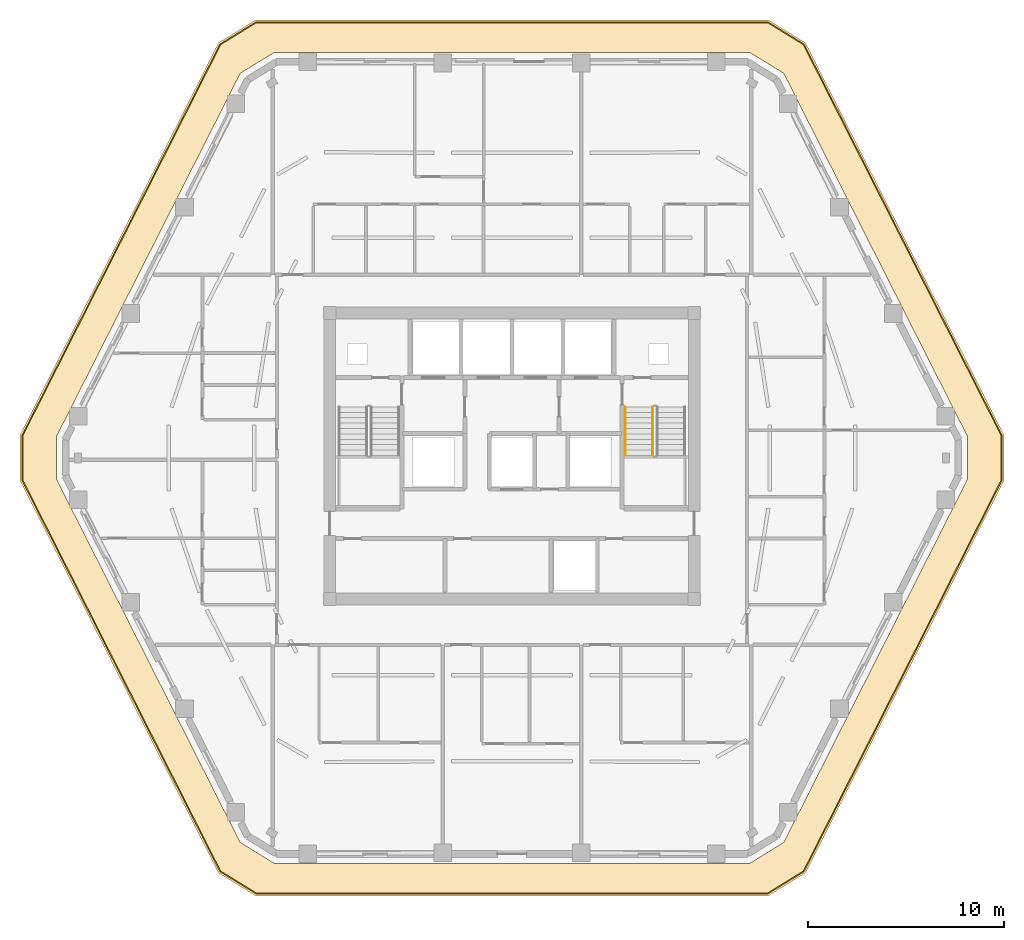
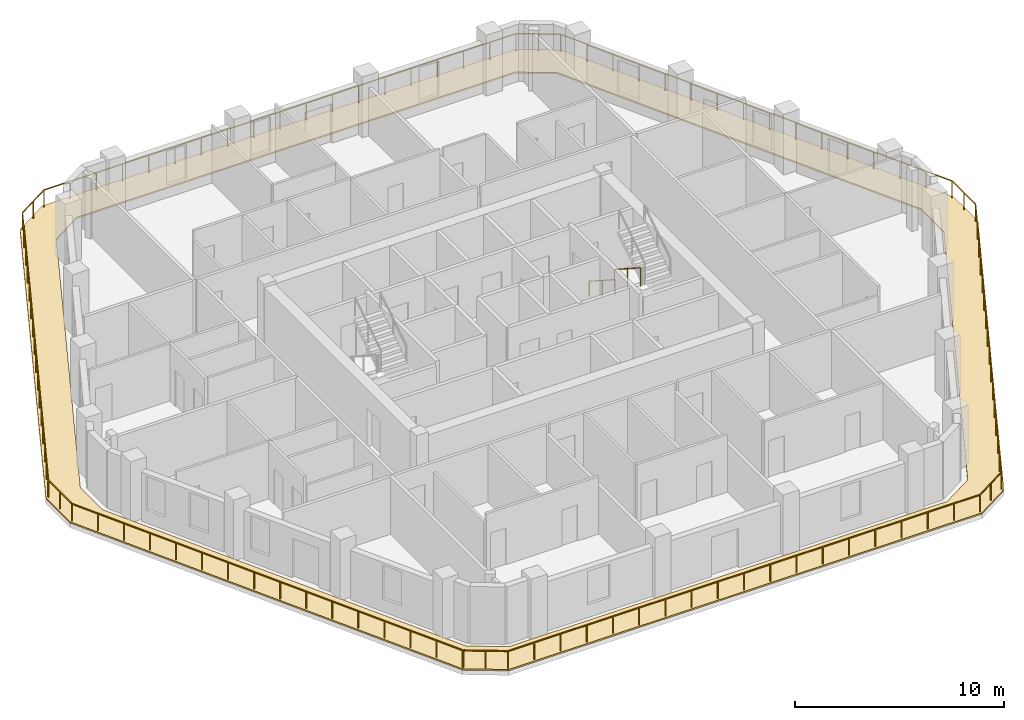
# One storey, part 9 of 10: 3 railings, 1 covering.
"""IFC4 building model written with IfcOpenShell, lengths in metres."""

from ifc_helpers import new_model, si_unit, direction, frame, origin, origin_2d, place, context, subcontext, project, spatial, polyline, rectangle, outline, extrude, material, layer, layer_set, type_object, element, save


model = new_model("IFC4")

# Units and contexts
model_context = context("Model", 3, precision=1e-05, world=origin(), true_north=direction((0.0, 1.0)))
body_context = subcontext(model_context, "Body", "Model", "MODEL_VIEW")
ifc_project = project(units=[si_unit("LENGTHUNIT", "METRE"), si_unit("AREAUNIT", "SQUARE_METRE"), si_unit("VOLUMEUNIT", "CUBIC_METRE"), si_unit("PLANEANGLEUNIT", "RADIAN"), si_unit("MASSUNIT", "GRAM", prefix="KILO")], contexts=[model_context])

# Site, building, storey
site_placement = place(None, origin())
site = spatial("IfcSite", under=ifc_project, at=site_placement, CompositionType="ELEMENT")
building_placement = place(site_placement, origin())
building = spatial("IfcBuilding", under=site, at=building_placement, Name="Cinnabar Lancet Tower", CompositionType="ELEMENT")
storey_placement = place(building_placement, frame((0.0, 0.0, 171.89990234375)))
storey = spatial("IfcBuildingStorey", under=building, at=storey_placement, Name="L45", CompositionType="ELEMENT", Elevation=171.89990234375)

# Covering
ifc_material_1 = material(Name="TPO single-ply insulated waterproof roofing membrane", Category="finish")
ifc_layer = layer(ifc_material_1, 0.0849609375)
ifc_layer_set = layer_set([ifc_layer], Name="TPO single-ply insulated waterproof roofing membrane")
covering_type = type_object("IfcCoveringType", Name="ARC-COV-ROOF-MEM", PredefinedType="ROOFING", material=ifc_layer_set)
covering_placement = place(storey_placement, origin())
element("IfcCovering", 1, at=covering_placement, inside=storey, type_object=covering_type, Name="L45 Insulated TPO Waterproof Roofing Membrane", PredefinedType="ROOFING", context=body_context, shape_type="SweptSolid", body=[
    extrude(outline(polyline([(17.4208984375, 4.610107421875), (19.30810546875, 3.449951171875), (45.491943359375, 3.449951171875), (47.37890625, 4.610107421875), (57.512939453125, 24.639892578125), (57.512939453125, 26.9599609375), (47.37890625, 46.989990234375), (45.491943359375, 48.14990234375), (19.30810546875, 48.14990234375), (17.4208984375, 46.989990234375), (7.287109375, 26.9599609375), (7.287109375, 24.639892578125), (17.4208984375, 4.610107421875)]), holes=[polyline([(18.530029296875, 6.1708984375), (20.27197265625, 5.10009765625), (44.528076171875, 5.10009765625), (46.27001953125, 6.1708984375), (55.657958984375, 24.72900390625), (55.657958984375, 26.87109375), (46.27001953125, 45.428955078125), (44.528076171875, 46.5), (20.27197265625, 46.5), (18.530029296875, 45.428955078125), (9.14208984375, 26.87109375), (9.14208984375, 24.72900390625), (18.530029296875, 6.1708984375)])]), origin(), (0.0, 0.0, 1.0), 0.085205078125),
])

# Railings
ifc_material_2 = material(Name="Laminated safety glass and bronze stainless steel balustrade", Category="steel")
railing_type_1 = type_object("IfcRailingType", Name="ENV-RLG-BAL-1100", PredefinedType="BALUSTRADE", material=ifc_material_2)
railing_1_placement = place(storey_placement, frame((17.512939453125, 4.694091796875, 0.0)))
element("IfcRailing", 2, at=railing_1_placement, inside=storey, type_object=railing_type_1, Name="L45 Setback Roof Terrace Perimeter Balustrade", PredefinedType="BALUSTRADE", context=body_context, shape_type="SweptSolid", body=[
    extrude(rectangle(XDim=0.048095703125, YDim=0.048095703125, at=origin_2d()), frame((0.0, 0.0, 1.076171875), z_axis=(0.851986130502, -0.523564354623, 0.0), x_axis=(0.523564354623, 0.851986130502, 0.0)), (0.0, 0.0, 1.0), 2.14697265625),
    extrude(rectangle(XDim=0.048095703125, YDim=0.048095703125, at=origin_2d()), frame((1.8291015625, -1.1240234375, 1.076171875), z_axis=(1.0, 0.0, 0.0), x_axis=(0.0, 1.0, 0.0)), (0.0, 0.0, 1.0), 26.115966796875),
    extrude(rectangle(XDim=0.048095703125, YDim=0.048095703125, at=origin_2d()), frame((27.945068359375, -1.1240234375, 1.076171875), z_axis=(0.851986130502, 0.523564354623, 0.0), x_axis=(-0.523564354623, 0.851986130502, 0.0)), (0.0, 0.0, 1.0), 2.14697265625),
    extrude(rectangle(XDim=0.048095703125, YDim=0.048095703125, at=origin_2d()), frame((29.774169921875, 0.0, 1.076171875), z_axis=(0.451444484953, 0.892299208229, 0.0), x_axis=(-0.892299208229, 0.451444484953, 0.0)), (0.0, 0.0, 1.0), 22.3857421875),
    extrude(rectangle(XDim=0.048095703125, YDim=0.048095703125, at=origin_2d()), frame((39.880126953125, 19.974853515625, 1.076171875), z_axis=(0.0, 1.0, 0.0), x_axis=(-1.0, 0.0, 0.0)), (0.0, 0.0, 1.0), 2.261962890625),
    extrude(rectangle(XDim=0.048095703125, YDim=0.048095703125, at=origin_2d()), frame((39.880126953125, 22.23681640625, 1.076171875), z_axis=(-0.451440091782, 0.89230143087, 0.0), x_axis=(-0.89230143087, -0.451440091782, 0.0)), (0.0, 0.0, 1.0), 22.385986328125),
    extrude(rectangle(XDim=0.048095703125, YDim=0.048095703125, at=origin_2d()), frame((29.774169921875, 42.2119140625, 1.076171875), z_axis=(-0.851986130502, 0.523564354623, 0.0), x_axis=(-0.523564354623, -0.851986130502, 0.0)), (0.0, 0.0, 1.0), 2.14697265625),
    extrude(rectangle(XDim=0.048095703125, YDim=0.048095703125, at=origin_2d()), frame((27.945068359375, 43.3359375, 1.076171875), z_axis=(-1.0, 0.0, 0.0), x_axis=(0.0, -1.0, 0.0)), (0.0, 0.0, 1.0), 26.115966796875),
    extrude(rectangle(XDim=0.048095703125, YDim=0.048095703125, at=origin_2d()), frame((1.8291015625, 43.3359375, 1.076171875), z_axis=(-0.851986130502, -0.523564354623, 0.0), x_axis=(0.523564354623, -0.851986130502, 0.0)), (0.0, 0.0, 1.0), 2.14697265625),
    extrude(rectangle(XDim=0.048095703125, YDim=0.048095703125, at=origin_2d()), frame((0.0, 42.2119140625, 1.076171875), z_axis=(-0.451440091782, -0.89230143087, 0.0), x_axis=(0.89230143087, -0.451440091782, 0.0)), (0.0, 0.0, 1.0), 22.385986328125),
    extrude(rectangle(XDim=0.048095703125, YDim=0.048095703125, at=origin_2d()), frame((-10.10595703125, 22.23681640625, 1.076171875), z_axis=(0.0, -1.0, 0.0), x_axis=(1.0, 0.0, 0.0)), (0.0, 0.0, 1.0), 2.261962890625),
    extrude(rectangle(XDim=0.048095703125, YDim=0.048095703125, at=origin_2d()), frame((-10.10595703125, 19.974853515625, 1.076171875), z_axis=(0.45145642241, -0.892293168563, 0.0), x_axis=(0.892293168563, 0.45145642241, 0.0)), (0.0, 0.0, 1.0), 22.345703125),
    extrude(rectangle(XDim=0.0419921875, YDim=0.0419921875, at=origin_2d()), origin(), (0.0, 0.0, 1.0), 1.052001953125),
    extrude(rectangle(XDim=0.0419921875, YDim=0.0419921875, at=origin_2d()), frame((0.91455078125, -0.56201171875, 0.0)), (0.0, 0.0, 1.0), 1.052001953125),
    extrude(rectangle(XDim=0.0419921875, YDim=0.0419921875, at=origin_2d()), frame((1.8291015625, -1.1240234375, 0.0)), (0.0, 0.0, 1.0), 1.052001953125),
    extrude(rectangle(XDim=0.0419921875, YDim=0.0419921875, at=origin_2d()), frame((3.280029296875, -1.1240234375, 0.0)), (0.0, 0.0, 1.0), 1.052001953125),
    extrude(rectangle(XDim=0.0419921875, YDim=0.0419921875, at=origin_2d()), frame((4.73095703125, -1.1240234375, 0.0)), (0.0, 0.0, 1.0), 1.052001953125),
    extrude(rectangle(XDim=0.0419921875, YDim=0.0419921875, at=origin_2d()), frame((6.181640625, -1.1240234375, 0.0)), (0.0, 0.0, 1.0), 1.052001953125),
    extrude(rectangle(XDim=0.0419921875, YDim=0.0419921875, at=origin_2d()), frame((7.632568359375, -1.1240234375, 0.0)), (0.0, 0.0, 1.0), 1.052001953125),
    extrude(rectangle(XDim=0.0419921875, YDim=0.0419921875, at=origin_2d()), frame((9.08349609375, -1.1240234375, 0.0)), (0.0, 0.0, 1.0), 1.052001953125),
    extrude(rectangle(XDim=0.0419921875, YDim=0.0419921875, at=origin_2d()), frame((10.534423828125, -1.1240234375, 0.0)), (0.0, 0.0, 1.0), 1.052001953125),
    extrude(rectangle(XDim=0.0419921875, YDim=0.0419921875, at=origin_2d()), frame((11.9853515625, -1.1240234375, 0.0)), (0.0, 0.0, 1.0), 1.052001953125),
    extrude(rectangle(XDim=0.0419921875, YDim=0.0419921875, at=origin_2d()), frame((13.436279296875, -1.1240234375, 0.0)), (0.0, 0.0, 1.0), 1.052001953125),
    extrude(rectangle(XDim=0.0419921875, YDim=0.0419921875, at=origin_2d()), frame((14.88720703125, -1.1240234375, 0.0)), (0.0, 0.0, 1.0), 1.052001953125),
    extrude(rectangle(XDim=0.0419921875, YDim=0.0419921875, at=origin_2d()), frame((16.337890625, -1.1240234375, 0.0)), (0.0, 0.0, 1.0), 1.052001953125),
    extrude(rectangle(XDim=0.0419921875, YDim=0.0419921875, at=origin_2d()), frame((17.788818359375, -1.1240234375, 0.0)), (0.0, 0.0, 1.0), 1.052001953125),
    extrude(rectangle(XDim=0.0419921875, YDim=0.0419921875, at=origin_2d()), frame((19.23974609375, -1.1240234375, 0.0)), (0.0, 0.0, 1.0), 1.052001953125),
    extrude(rectangle(XDim=0.0419921875, YDim=0.0419921875, at=origin_2d()), frame((20.690673828125, -1.1240234375, 0.0)), (0.0, 0.0, 1.0), 1.052001953125),
    extrude(rectangle(XDim=0.0419921875, YDim=0.0419921875, at=origin_2d()), frame((22.1416015625, -1.1240234375, 0.0)), (0.0, 0.0, 1.0), 1.052001953125),
    extrude(rectangle(XDim=0.0419921875, YDim=0.0419921875, at=origin_2d()), frame((23.59228515625, -1.1240234375, 0.0)), (0.0, 0.0, 1.0), 1.052001953125),
    extrude(rectangle(XDim=0.0419921875, YDim=0.0419921875, at=origin_2d()), frame((25.043212890625, -1.1240234375, 0.0)), (0.0, 0.0, 1.0), 1.052001953125),
    extrude(rectangle(XDim=0.0419921875, YDim=0.0419921875, at=origin_2d()), frame((26.494140625, -1.1240234375, 0.0)), (0.0, 0.0, 1.0), 1.052001953125),
    extrude(rectangle(XDim=0.0419921875, YDim=0.0419921875, at=origin_2d()), frame((27.945068359375, -1.1240234375, 0.0)), (0.0, 0.0, 1.0), 1.052001953125),
    extrude(rectangle(XDim=0.0419921875, YDim=0.0419921875, at=origin_2d()), frame((28.859619140625, -0.56201171875, 0.0)), (0.0, 0.0, 1.0), 1.052001953125),
    extrude(rectangle(XDim=0.0419921875, YDim=0.0419921875, at=origin_2d()), frame((29.774169921875, 0.0, 0.0)), (0.0, 0.0, 1.0), 1.052001953125),
    extrude(rectangle(XDim=0.0419921875, YDim=0.0419921875, at=origin_2d()), frame((30.447998046875, 1.33154296875, 0.0)), (0.0, 0.0, 1.0), 1.052001953125),
    extrude(rectangle(XDim=0.0419921875, YDim=0.0419921875, at=origin_2d()), frame((31.12158203125, 2.663330078125, 0.0)), (0.0, 0.0, 1.0), 1.052001953125),
    extrude(rectangle(XDim=0.0419921875, YDim=0.0419921875, at=origin_2d()), frame((31.79541015625, 3.994873046875, 0.0)), (0.0, 0.0, 1.0), 1.052001953125),
    extrude(rectangle(XDim=0.0419921875, YDim=0.0419921875, at=origin_2d()), frame((32.468994140625, 5.32666015625, 0.0)), (0.0, 0.0, 1.0), 1.052001953125),
    extrude(rectangle(XDim=0.0419921875, YDim=0.0419921875, at=origin_2d()), frame((33.142822265625, 6.658203125, 0.0)), (0.0, 0.0, 1.0), 1.052001953125),
    extrude(rectangle(XDim=0.0419921875, YDim=0.0419921875, at=origin_2d()), frame((33.816650390625, 7.989990234375, 0.0)), (0.0, 0.0, 1.0), 1.052001953125),
    extrude(rectangle(XDim=0.0419921875, YDim=0.0419921875, at=origin_2d()), frame((34.490234375, 9.321533203125, 0.0)), (0.0, 0.0, 1.0), 1.052001953125),
    extrude(rectangle(XDim=0.0419921875, YDim=0.0419921875, at=origin_2d()), frame((35.1640625, 10.6533203125, 0.0)), (0.0, 0.0, 1.0), 1.052001953125),
    extrude(rectangle(XDim=0.0419921875, YDim=0.0419921875, at=origin_2d()), frame((35.837646484375, 11.98486328125, 0.0)), (0.0, 0.0, 1.0), 1.052001953125),
    extrude(rectangle(XDim=0.0419921875, YDim=0.0419921875, at=origin_2d()), frame((36.511474609375, 13.316650390625, 0.0)), (0.0, 0.0, 1.0), 1.052001953125),
    extrude(rectangle(XDim=0.0419921875, YDim=0.0419921875, at=origin_2d()), frame((37.185302734375, 14.648193359375, 0.0)), (0.0, 0.0, 1.0), 1.052001953125),
    extrude(rectangle(XDim=0.0419921875, YDim=0.0419921875, at=origin_2d()), frame((37.85888671875, 15.97998046875, 0.0)), (0.0, 0.0, 1.0), 1.052001953125),
    extrude(rectangle(XDim=0.0419921875, YDim=0.0419921875, at=origin_2d()), frame((38.53271484375, 17.3115234375, 0.0)), (0.0, 0.0, 1.0), 1.052001953125),
    extrude(rectangle(XDim=0.0419921875, YDim=0.0419921875, at=origin_2d()), frame((39.206298828125, 18.643310546875, 0.0)), (0.0, 0.0, 1.0), 1.052001953125),
    extrude(rectangle(XDim=0.0419921875, YDim=0.0419921875, at=origin_2d()), frame((39.880126953125, 19.974853515625, 0.0)), (0.0, 0.0, 1.0), 1.052001953125),
    extrude(rectangle(XDim=0.0419921875, YDim=0.0419921875, at=origin_2d()), frame((39.880126953125, 21.10595703125, 0.0)), (0.0, 0.0, 1.0), 1.052001953125),
    extrude(rectangle(XDim=0.0419921875, YDim=0.0419921875, at=origin_2d()), frame((39.880126953125, 22.23681640625, 0.0)), (0.0, 0.0, 1.0), 1.052001953125),
    extrude(rectangle(XDim=0.0419921875, YDim=0.0419921875, at=origin_2d()), frame((39.206298828125, 23.568603515625, 0.0)), (0.0, 0.0, 1.0), 1.052001953125),
    extrude(rectangle(XDim=0.0419921875, YDim=0.0419921875, at=origin_2d()), frame((38.53271484375, 24.900146484375, 0.0)), (0.0, 0.0, 1.0), 1.052001953125),
    extrude(rectangle(XDim=0.0419921875, YDim=0.0419921875, at=origin_2d()), frame((37.85888671875, 26.23193359375, 0.0)), (0.0, 0.0, 1.0), 1.052001953125),
    extrude(rectangle(XDim=0.0419921875, YDim=0.0419921875, at=origin_2d()), frame((37.185302734375, 27.5634765625, 0.0)), (0.0, 0.0, 1.0), 1.052001953125),
    extrude(rectangle(XDim=0.0419921875, YDim=0.0419921875, at=origin_2d()), frame((36.511474609375, 28.895263671875, 0.0)), (0.0, 0.0, 1.0), 1.052001953125),
    extrude(rectangle(XDim=0.0419921875, YDim=0.0419921875, at=origin_2d()), frame((35.837646484375, 30.226806640625, 0.0)), (0.0, 0.0, 1.0), 1.052001953125),
    extrude(rectangle(XDim=0.0419921875, YDim=0.0419921875, at=origin_2d()), frame((35.1640625, 31.55859375, 0.0)), (0.0, 0.0, 1.0), 1.052001953125),
    extrude(rectangle(XDim=0.0419921875, YDim=0.0419921875, at=origin_2d()), frame((34.490234375, 32.89013671875, 0.0)), (0.0, 0.0, 1.0), 1.052001953125),
    extrude(rectangle(XDim=0.0419921875, YDim=0.0419921875, at=origin_2d()), frame((33.816650390625, 34.221923828125, 0.0)), (0.0, 0.0, 1.0), 1.052001953125),
    extrude(rectangle(XDim=0.0419921875, YDim=0.0419921875, at=origin_2d()), frame((33.142822265625, 35.553466796875, 0.0)), (0.0, 0.0, 1.0), 1.052001953125),
    extrude(rectangle(XDim=0.0419921875, YDim=0.0419921875, at=origin_2d()), frame((32.468994140625, 36.88525390625, 0.0)), (0.0, 0.0, 1.0), 1.052001953125),
    extrude(rectangle(XDim=0.0419921875, YDim=0.0419921875, at=origin_2d()), frame((31.79541015625, 38.216796875, 0.0)), (0.0, 0.0, 1.0), 1.052001953125),
    extrude(rectangle(XDim=0.0419921875, YDim=0.0419921875, at=origin_2d()), frame((31.12158203125, 39.548583984375, 0.0)), (0.0, 0.0, 1.0), 1.052001953125),
    extrude(rectangle(XDim=0.0419921875, YDim=0.0419921875, at=origin_2d()), frame((30.447998046875, 40.880126953125, 0.0)), (0.0, 0.0, 1.0), 1.052001953125),
    extrude(rectangle(XDim=0.0419921875, YDim=0.0419921875, at=origin_2d()), frame((29.774169921875, 42.2119140625, 0.0)), (0.0, 0.0, 1.0), 1.052001953125),
    extrude(rectangle(XDim=0.0419921875, YDim=0.0419921875, at=origin_2d()), frame((28.859619140625, 42.77392578125, 0.0)), (0.0, 0.0, 1.0), 1.052001953125),
    extrude(rectangle(XDim=0.0419921875, YDim=0.0419921875, at=origin_2d()), frame((27.945068359375, 43.3359375, 0.0)), (0.0, 0.0, 1.0), 1.052001953125),
    extrude(rectangle(XDim=0.0419921875, YDim=0.0419921875, at=origin_2d()), frame((26.494140625, 43.3359375, 0.0)), (0.0, 0.0, 1.0), 1.052001953125),
    extrude(rectangle(XDim=0.0419921875, YDim=0.0419921875, at=origin_2d()), frame((25.043212890625, 43.3359375, 0.0)), (0.0, 0.0, 1.0), 1.052001953125),
    extrude(rectangle(XDim=0.0419921875, YDim=0.0419921875, at=origin_2d()), frame((23.59228515625, 43.3359375, 0.0)), (0.0, 0.0, 1.0), 1.052001953125),
    extrude(rectangle(XDim=0.0419921875, YDim=0.0419921875, at=origin_2d()), frame((22.1416015625, 43.3359375, 0.0)), (0.0, 0.0, 1.0), 1.052001953125),
    extrude(rectangle(XDim=0.0419921875, YDim=0.0419921875, at=origin_2d()), frame((20.690673828125, 43.3359375, 0.0)), (0.0, 0.0, 1.0), 1.052001953125),
    extrude(rectangle(XDim=0.0419921875, YDim=0.0419921875, at=origin_2d()), frame((19.23974609375, 43.3359375, 0.0)), (0.0, 0.0, 1.0), 1.052001953125),
    extrude(rectangle(XDim=0.0419921875, YDim=0.0419921875, at=origin_2d()), frame((17.788818359375, 43.3359375, 0.0)), (0.0, 0.0, 1.0), 1.052001953125),
    extrude(rectangle(XDim=0.0419921875, YDim=0.0419921875, at=origin_2d()), frame((16.337890625, 43.3359375, 0.0)), (0.0, 0.0, 1.0), 1.052001953125),
    extrude(rectangle(XDim=0.0419921875, YDim=0.0419921875, at=origin_2d()), frame((14.88720703125, 43.3359375, 0.0)), (0.0, 0.0, 1.0), 1.052001953125),
    extrude(rectangle(XDim=0.0419921875, YDim=0.0419921875, at=origin_2d()), frame((13.436279296875, 43.3359375, 0.0)), (0.0, 0.0, 1.0), 1.052001953125),
    extrude(rectangle(XDim=0.0419921875, YDim=0.0419921875, at=origin_2d()), frame((11.9853515625, 43.3359375, 0.0)), (0.0, 0.0, 1.0), 1.052001953125),
    extrude(rectangle(XDim=0.0419921875, YDim=0.0419921875, at=origin_2d()), frame((10.534423828125, 43.3359375, 0.0)), (0.0, 0.0, 1.0), 1.052001953125),
    extrude(rectangle(XDim=0.0419921875, YDim=0.0419921875, at=origin_2d()), frame((9.08349609375, 43.3359375, 0.0)), (0.0, 0.0, 1.0), 1.052001953125),
    extrude(rectangle(XDim=0.0419921875, YDim=0.0419921875, at=origin_2d()), frame((7.632568359375, 43.3359375, 0.0)), (0.0, 0.0, 1.0), 1.052001953125),
    extrude(rectangle(XDim=0.0419921875, YDim=0.0419921875, at=origin_2d()), frame((6.181640625, 43.3359375, 0.0)), (0.0, 0.0, 1.0), 1.052001953125),
    extrude(rectangle(XDim=0.0419921875, YDim=0.0419921875, at=origin_2d()), frame((4.73095703125, 43.3359375, 0.0)), (0.0, 0.0, 1.0), 1.052001953125),
    extrude(rectangle(XDim=0.0419921875, YDim=0.0419921875, at=origin_2d()), frame((3.280029296875, 43.3359375, 0.0)), (0.0, 0.0, 1.0), 1.052001953125),
    extrude(rectangle(XDim=0.0419921875, YDim=0.0419921875, at=origin_2d()), frame((1.8291015625, 43.3359375, 0.0)), (0.0, 0.0, 1.0), 1.052001953125),
    extrude(rectangle(XDim=0.0419921875, YDim=0.0419921875, at=origin_2d()), frame((0.91455078125, 42.77392578125, 0.0)), (0.0, 0.0, 1.0), 1.052001953125),
    extrude(rectangle(XDim=0.0419921875, YDim=0.0419921875, at=origin_2d()), frame((0.0, 42.2119140625, 0.0)), (0.0, 0.0, 1.0), 1.052001953125),
    extrude(rectangle(XDim=0.0419921875, YDim=0.0419921875, at=origin_2d()), frame((-0.673828125, 40.880126953125, 0.0)), (0.0, 0.0, 1.0), 1.052001953125),
    extrude(rectangle(XDim=0.0419921875, YDim=0.0419921875, at=origin_2d()), frame((-1.347412109375, 39.548583984375, 0.0)), (0.0, 0.0, 1.0), 1.052001953125),
    extrude(rectangle(XDim=0.0419921875, YDim=0.0419921875, at=origin_2d()), frame((-2.021240234375, 38.216796875, 0.0)), (0.0, 0.0, 1.0), 1.052001953125),
    extrude(rectangle(XDim=0.0419921875, YDim=0.0419921875, at=origin_2d()), frame((-2.69482421875, 36.88525390625, 0.0)), (0.0, 0.0, 1.0), 1.052001953125),
    extrude(rectangle(XDim=0.0419921875, YDim=0.0419921875, at=origin_2d()), frame((-3.36865234375, 35.553466796875, 0.0)), (0.0, 0.0, 1.0), 1.052001953125),
    extrude(rectangle(XDim=0.0419921875, YDim=0.0419921875, at=origin_2d()), frame((-4.04248046875, 34.221923828125, 0.0)), (0.0, 0.0, 1.0), 1.052001953125),
    extrude(rectangle(XDim=0.0419921875, YDim=0.0419921875, at=origin_2d()), frame((-4.716064453125, 32.89013671875, 0.0)), (0.0, 0.0, 1.0), 1.052001953125),
    extrude(rectangle(XDim=0.0419921875, YDim=0.0419921875, at=origin_2d()), frame((-5.389892578125, 31.55859375, 0.0)), (0.0, 0.0, 1.0), 1.052001953125),
    extrude(rectangle(XDim=0.0419921875, YDim=0.0419921875, at=origin_2d()), frame((-6.0634765625, 30.226806640625, 0.0)), (0.0, 0.0, 1.0), 1.052001953125),
    extrude(rectangle(XDim=0.0419921875, YDim=0.0419921875, at=origin_2d()), frame((-6.7373046875, 28.895263671875, 0.0)), (0.0, 0.0, 1.0), 1.052001953125),
    extrude(rectangle(XDim=0.0419921875, YDim=0.0419921875, at=origin_2d()), frame((-7.4111328125, 27.5634765625, 0.0)), (0.0, 0.0, 1.0), 1.052001953125),
    extrude(rectangle(XDim=0.0419921875, YDim=0.0419921875, at=origin_2d()), frame((-8.084716796875, 26.23193359375, 0.0)), (0.0, 0.0, 1.0), 1.052001953125),
    extrude(rectangle(XDim=0.0419921875, YDim=0.0419921875, at=origin_2d()), frame((-8.758544921875, 24.900146484375, 0.0)), (0.0, 0.0, 1.0), 1.052001953125),
    extrude(rectangle(XDim=0.0419921875, YDim=0.0419921875, at=origin_2d()), frame((-9.43212890625, 23.568603515625, 0.0)), (0.0, 0.0, 1.0), 1.052001953125),
    extrude(rectangle(XDim=0.0419921875, YDim=0.0419921875, at=origin_2d()), frame((-10.10595703125, 22.23681640625, 0.0)), (0.0, 0.0, 1.0), 1.052001953125),
    extrude(rectangle(XDim=0.0419921875, YDim=0.0419921875, at=origin_2d()), frame((-10.10595703125, 21.10595703125, 0.0)), (0.0, 0.0, 1.0), 1.052001953125),
    extrude(rectangle(XDim=0.0419921875, YDim=0.0419921875, at=origin_2d()), frame((-10.10595703125, 19.974853515625, 0.0)), (0.0, 0.0, 1.0), 1.052001953125),
    extrude(rectangle(XDim=0.0419921875, YDim=0.0419921875, at=origin_2d()), frame((-9.433349609375, 18.6455078125, 0.0)), (0.0, 0.0, 1.0), 1.052001953125),
    extrude(rectangle(XDim=0.0419921875, YDim=0.0419921875, at=origin_2d()), frame((-8.760986328125, 17.31640625, 0.0)), (0.0, 0.0, 1.0), 1.052001953125),
    extrude(rectangle(XDim=0.0419921875, YDim=0.0419921875, at=origin_2d()), frame((-8.08837890625, 15.987060546875, 0.0)), (0.0, 0.0, 1.0), 1.052001953125),
    extrude(rectangle(XDim=0.0419921875, YDim=0.0419921875, at=origin_2d()), frame((-7.415771484375, 14.65771484375, 0.0)), (0.0, 0.0, 1.0), 1.052001953125),
    extrude(rectangle(XDim=0.0419921875, YDim=0.0419921875, at=origin_2d()), frame((-6.7431640625, 13.32861328125, 0.0)), (0.0, 0.0, 1.0), 1.052001953125),
    extrude(rectangle(XDim=0.0419921875, YDim=0.0419921875, at=origin_2d()), frame((-6.07080078125, 11.999267578125, 0.0)), (0.0, 0.0, 1.0), 1.052001953125),
    extrude(rectangle(XDim=0.0419921875, YDim=0.0419921875, at=origin_2d()), frame((-5.398193359375, 10.669921875, 0.0)), (0.0, 0.0, 1.0), 1.052001953125),
    extrude(rectangle(XDim=0.0419921875, YDim=0.0419921875, at=origin_2d()), frame((-4.7255859375, 9.3408203125, 0.0)), (0.0, 0.0, 1.0), 1.052001953125),
    extrude(rectangle(XDim=0.0419921875, YDim=0.0419921875, at=origin_2d()), frame((-4.052978515625, 8.011474609375, 0.0)), (0.0, 0.0, 1.0), 1.052001953125),
    extrude(rectangle(XDim=0.0419921875, YDim=0.0419921875, at=origin_2d()), frame((-3.380615234375, 6.68212890625, 0.0)), (0.0, 0.0, 1.0), 1.052001953125),
    extrude(rectangle(XDim=0.0419921875, YDim=0.0419921875, at=origin_2d()), frame((-2.7080078125, 5.35302734375, 0.0)), (0.0, 0.0, 1.0), 1.052001953125),
    extrude(rectangle(XDim=0.0419921875, YDim=0.0419921875, at=origin_2d()), frame((-2.035400390625, 4.023681640625, 0.0)), (0.0, 0.0, 1.0), 1.052001953125),
    extrude(rectangle(XDim=0.0419921875, YDim=0.0419921875, at=origin_2d()), frame((-1.36279296875, 2.6943359375, 0.0)), (0.0, 0.0, 1.0), 1.052001953125),
    extrude(rectangle(XDim=0.0419921875, YDim=0.0419921875, at=origin_2d()), frame((-0.6904296875, 1.365234375, 0.0)), (0.0, 0.0, 1.0), 1.052001953125),
    extrude(rectangle(XDim=0.0419921875, YDim=0.0419921875, at=origin_2d()), frame((-0.017822265625, 0.035888671875, 0.0)), (0.0, 0.0, 1.0), 1.052001953125),
])
ifc_material_3 = material(Name="Painted galvanized steel balustrade", Category="steel")
railing_type_2 = type_object("IfcRailingType", Name="GUARD-STAIR", PredefinedType="GUARDRAIL", material=ifc_material_3)
railing_2_placement = place(storey_placement, frame((39.574951171875, 28.39990234375, 0.177490234375)))
element("IfcRailing", 3, at=railing_2_placement, inside=storey, type_object=railing_type_2, Name="L45 ST-2 stair guard 1", PredefinedType="GUARDRAIL", context=body_context, shape_type="SweptSolid", body=[
    extrude(rectangle(XDim=0.048095703125, YDim=0.048095703125, at=origin_2d()), frame((0.0, 0.0, 1.076171875), z_axis=(0.0, -0.84014559416, 0.542360932049), x_axis=(1.0, 0.0, 0.0)), (0.0, 0.0, 1.0), 2.94580078125),
    extrude(rectangle(XDim=0.0419921875, YDim=0.0419921875, at=origin_2d()), origin(), (0.0, 0.0, 1.0), 1.052001953125),
    extrude(rectangle(XDim=0.0419921875, YDim=0.0419921875, at=origin_2d()), frame((0.0, -1.2373046875, 0.798828125)), (0.0, 0.0, 1.0), 1.052001953125),
    extrude(rectangle(XDim=0.0419921875, YDim=0.0419921875, at=origin_2d()), frame((0.0, -2.474853515625, 1.59765625)), (0.0, 0.0, 1.0), 1.052001953125),
])
ifc_material_4 = material(Name="Brushed stainless steel handrail", Category="steel")
railing_type_3 = type_object("IfcRailingType", Name="HANDRAIL-STAIR", PredefinedType="HANDRAIL", material=ifc_material_4)
railing_3_placement = place(storey_placement, frame((38.175048828125, 28.39990234375, 0.177490234375)))
element("IfcRailing", 4, at=railing_3_placement, inside=storey, type_object=railing_type_3, Name="L45 ST-2 stair handrail 1", PredefinedType="HANDRAIL", context=body_context, shape_type="SweptSolid", body=[
    extrude(rectangle(XDim=0.048095703125, YDim=0.048095703125, at=origin_2d()), frame((0.0, 0.0, 0.8759765625), z_axis=(0.0, -0.84014559416, 0.542360932049), x_axis=(1.0, 0.0, 0.0)), (0.0, 0.0, 1.0), 2.94580078125),
    extrude(rectangle(XDim=0.0419921875, YDim=0.0419921875, at=origin_2d()), origin(), (0.0, 0.0, 1.0), 0.851806640625),
    extrude(rectangle(XDim=0.0419921875, YDim=0.0419921875, at=origin_2d()), frame((0.0, -1.2373046875, 0.798828125)), (0.0, 0.0, 1.0), 0.851806640625),
    extrude(rectangle(XDim=0.0419921875, YDim=0.0419921875, at=origin_2d()), frame((0.0, -2.474853515625, 1.59765625)), (0.0, 0.0, 1.0), 0.851806640625),
])

save(model, "model.ifc")
